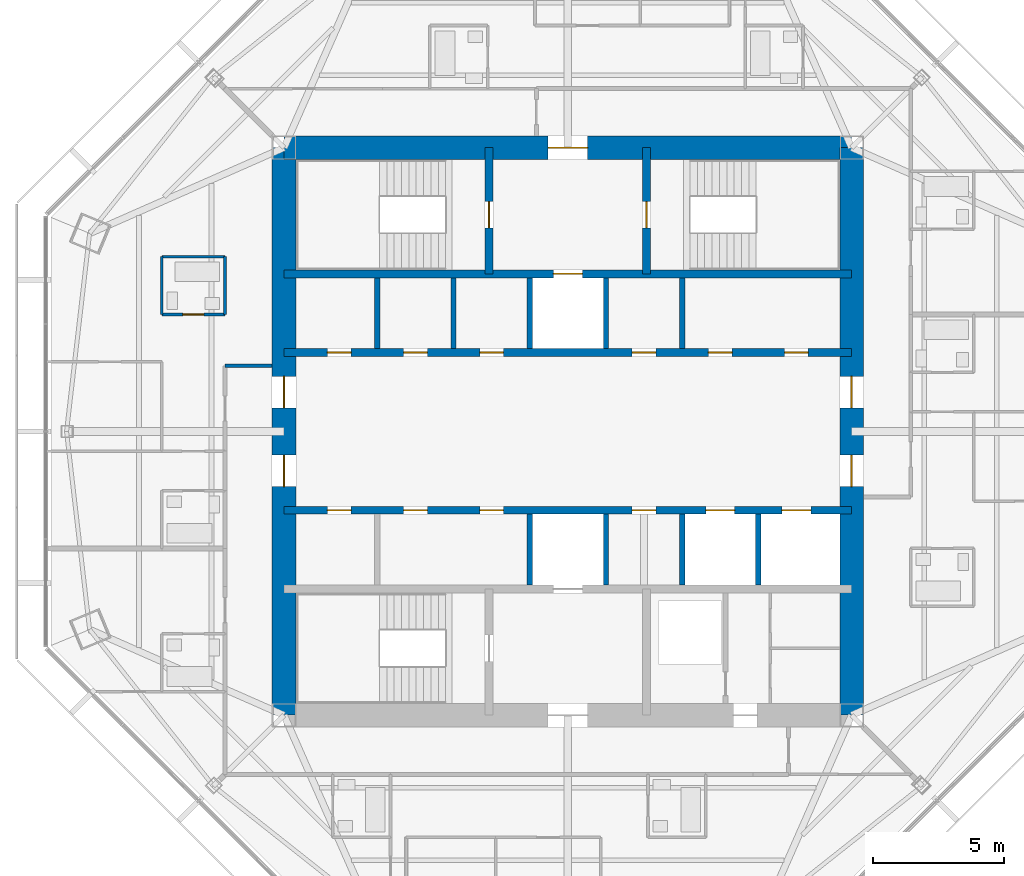
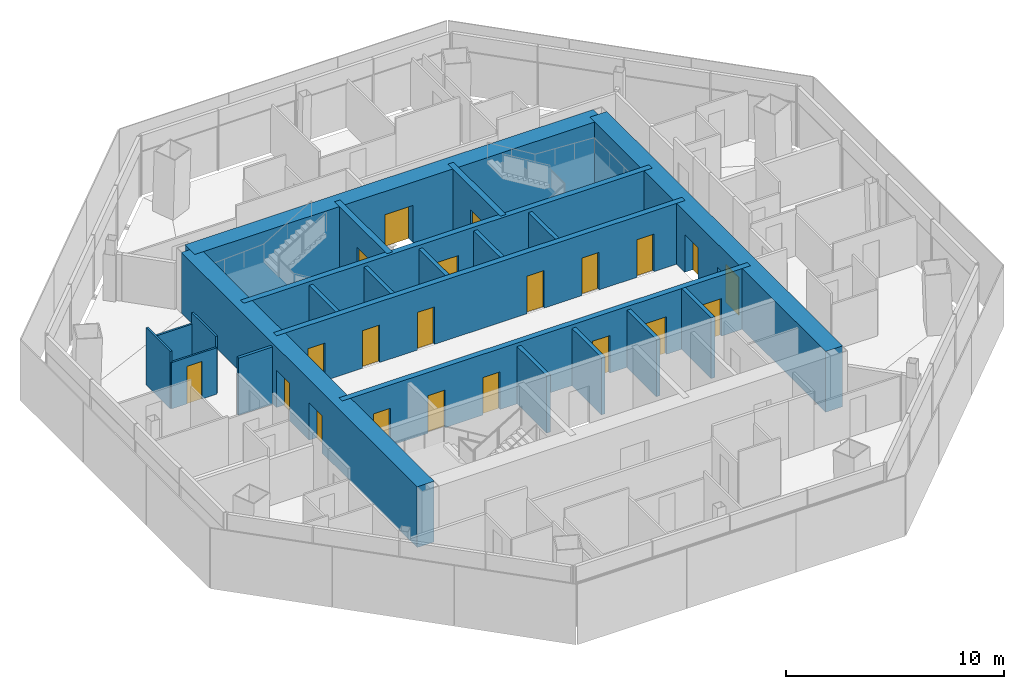
# One storey, part 10 of 14: 22 walls, 21 doors, 21 openings.
"""IFC4 building model written with IfcOpenShell, lengths in metres."""

from ifc_helpers import new_model, si_unit, direction, frame, frame_2d, origin, place, context, subcontext, project, spatial, rectangle, extrude, material, layer, layer_set, type_object, element, fill, save


model = new_model("IFC4")

# Units and contexts
model_context = context("Model", 3, precision=1e-05, world=origin(), true_north=direction((0.0, 1.0)))
body_context = subcontext(model_context, "Body", "Model", "MODEL_VIEW")
ifc_project = project(units=[si_unit("LENGTHUNIT", "METRE"), si_unit("AREAUNIT", "SQUARE_METRE"), si_unit("VOLUMEUNIT", "CUBIC_METRE"), si_unit("PLANEANGLEUNIT", "RADIAN"), si_unit("MASSUNIT", "GRAM", prefix="KILO")], contexts=[model_context])

# Site, building, storey
site_placement = place(None, origin())
site = spatial("IfcSite", under=ifc_project, at=site_placement, CompositionType="ELEMENT")
building_placement = place(site_placement, origin())
building = spatial("IfcBuilding", under=site, at=building_placement, Name="Mashrafa Tower", CompositionType="ELEMENT")
storey_placement = place(building_placement, frame((0.0, 0.0, 287.800048828125)))
storey = spatial("IfcBuildingStorey", under=building, at=storey_placement, Name="L70", CompositionType="ELEMENT", Elevation=287.800048828125)

# Wall, openings, doors
ifc_material_1 = material(Name="Concrete C50/60", Category="concrete")
ifc_layer_1 = layer(ifc_material_1, 0.300048828125)
ifc_layer_set_1 = layer_set([ifc_layer_1], Name="Core wall 300 C50/60")
wall_type_1 = type_object("IfcWallType", Name="Core wall 300 C50/60", PredefinedType="SOLIDWALL", material=ifc_layer_set_1)
wall_1_placement = place(storey_placement, frame((-10.800048828125, 3.0, 0.0), z_axis=(0.0, 0.0, 1.0), x_axis=(1.0, 0.0, 0.0)))
wall_1 = element("IfcWall", 1, at=wall_1_placement, inside=storey, type_object=wall_type_1, Name="Core wall CH-N L70", PredefinedType="SOLIDWALL", context=body_context, shape_type="SweptSolid", body=[
    extrude(rectangle(XDim=21.60009765625, YDim=0.300048828125, at=frame_2d((10.800048828125, 0.0))), origin(), (0.0, 0.0, 1.0), 3.39990234375),
])
opening_1_placement = place(wall_1_placement, frame((1.64990234375, 0.0, 0.0)))
opening_1 = element("IfcOpeningElement", 2, at=opening_1_placement, cuts=wall_1, Name="Opening 70.044", PredefinedType="OPENING", context=body_context, shape_type="SweptSolid", body=[
    extrude(rectangle(XDim=0.89990234375, YDim=2.10009765625, at=frame_2d((0.449951171875, 1.050048828125))), frame((0.0, 0.159912109375, 0.0), z_axis=(0.0, -1.0, 0.0), x_axis=(1.0, 0.0, 0.0)), (0.0, 0.0, 1.0), 0.320068359375),
])
opening_2_placement = place(wall_1_placement, frame((7.449951171875, 0.0, 0.0)))
opening_2 = element("IfcOpeningElement", 3, at=opening_2_placement, cuts=wall_1, Name="Opening 70.045", PredefinedType="OPENING", context=body_context, shape_type="SweptSolid", body=[
    extrude(rectangle(XDim=0.89990234375, YDim=2.10009765625, at=frame_2d((0.449951171875, 1.050048828125))), frame((0.0, 0.159912109375, 0.0), z_axis=(0.0, -1.0, 0.0), x_axis=(1.0, 0.0, 0.0)), (0.0, 0.0, 1.0), 0.320068359375),
])
opening_3_placement = place(wall_1_placement, frame((13.25, 0.0, 0.0)))
opening_3 = element("IfcOpeningElement", 4, at=opening_3_placement, cuts=wall_1, Name="Opening 70.046", PredefinedType="OPENING", context=body_context, shape_type="SweptSolid", body=[
    extrude(rectangle(XDim=0.89990234375, YDim=2.10009765625, at=frame_2d((0.449951171875, 1.050048828125))), frame((0.0, 0.159912109375, 0.0), z_axis=(0.0, -1.0, 0.0), x_axis=(1.0, 0.0, 0.0)), (0.0, 0.0, 1.0), 0.320068359375),
])
opening_4_placement = place(wall_1_placement, frame((16.14990234375, 0.0, 0.0)))
opening_4 = element("IfcOpeningElement", 5, at=opening_4_placement, cuts=wall_1, Name="Opening 70.047", PredefinedType="OPENING", context=body_context, shape_type="SweptSolid", body=[
    extrude(rectangle(XDim=0.89990234375, YDim=2.10009765625, at=frame_2d((0.449951171875, 1.050048828125))), frame((0.0, 0.159912109375, 0.0), z_axis=(0.0, -1.0, 0.0), x_axis=(1.0, 0.0, 0.0)), (0.0, 0.0, 1.0), 0.320068359375),
])
opening_5_placement = place(wall_1_placement, frame((19.050048828125, 0.0, 0.0)))
opening_5 = element("IfcOpeningElement", 6, at=opening_5_placement, cuts=wall_1, Name="Opening 70.048", PredefinedType="OPENING", context=body_context, shape_type="SweptSolid", body=[
    extrude(rectangle(XDim=0.89990234375, YDim=2.10009765625, at=frame_2d((0.449951171875, 1.050048828125))), frame((0.0, 0.159912109375, 0.0), z_axis=(0.0, -1.0, 0.0), x_axis=(1.0, 0.0, 0.0)), (0.0, 0.0, 1.0), 0.320068359375),
])
opening_6_placement = place(wall_1_placement, frame((4.550048828125, 0.0, 0.0)))
opening_6 = element("IfcOpeningElement", 7, at=opening_6_placement, cuts=wall_1, Name="Opening 70.051", PredefinedType="OPENING", context=body_context, shape_type="SweptSolid", body=[
    extrude(rectangle(XDim=0.89990234375, YDim=2.10009765625, at=frame_2d((0.449951171875, 1.050048828125))), frame((0.0, 0.159912109375, 0.0), z_axis=(0.0, -1.0, 0.0), x_axis=(1.0, 0.0, 0.0)), (0.0, 0.0, 1.0), 0.320068359375),
])
ifc_material_2 = material(Name="Timber door", Category="wood")
door_type_1 = type_object("IfcDoorType", Name="Store door 900 x 2100", OperationType="USERDEFINED", PredefinedType="DOOR", material=ifc_material_2)
door_1_placement = place(opening_1_placement, origin())
door_1 = element("IfcDoor", 8, at=door_1_placement, inside=storey, type_object=door_type_1, Name="Refuse Chute Room L70 door", OperationType="SINGLE_SWING_RIGHT", OverallHeight=2.10009765625, OverallWidth=0.89990234375, PredefinedType="DOOR", context=body_context, shape_type="SweptSolid", body=[
    extrude(rectangle(XDim=0.89990234375, YDim=2.10009765625, at=frame_2d((0.449951171875, 1.050048828125))), frame((0.0, 0.02490234375, 0.0), z_axis=(0.0, -1.0, 0.0), x_axis=(1.0, 0.0, 0.0)), (0.0, 0.0, 1.0), 0.050048828125),
])
fill(opening_1, door_1)
door_2_placement = place(opening_2_placement, origin())
door_2 = element("IfcDoor", 9, at=door_2_placement, inside=storey, type_object=door_type_1, Name="Vending and Ice Room L70 door", OperationType="SINGLE_SWING_LEFT", OverallHeight=2.10009765625, OverallWidth=0.89990234375, PredefinedType="DOOR", context=body_context, shape_type="SweptSolid", body=[
    extrude(rectangle(XDim=0.89990234375, YDim=2.10009765625, at=frame_2d((0.449951171875, 1.050048828125))), frame((0.0, 0.02490234375, 0.0), z_axis=(0.0, -1.0, 0.0), x_axis=(1.0, 0.0, 0.0)), (0.0, 0.0, 1.0), 0.050048828125),
])
fill(opening_2, door_2)
door_3_placement = place(opening_3_placement, origin())
door_3 = element("IfcDoor", 10, at=door_3_placement, inside=storey, type_object=door_type_1, Name="Cleaner's Store L70 door", OperationType="SINGLE_SWING_LEFT", OverallHeight=2.10009765625, OverallWidth=0.89990234375, PredefinedType="DOOR", context=body_context, shape_type="SweptSolid", body=[
    extrude(rectangle(XDim=0.89990234375, YDim=2.10009765625, at=frame_2d((0.449951171875, 1.050048828125))), frame((0.0, 0.02490234375, 0.0), z_axis=(0.0, -1.0, 0.0), x_axis=(1.0, 0.0, 0.0)), (0.0, 0.0, 1.0), 0.050048828125),
])
fill(opening_3, door_3)
door_4_placement = place(opening_4_placement, origin())
door_4 = element("IfcDoor", 11, at=door_4_placement, inside=storey, type_object=door_type_1, Name="Parcel Room L70 door", OperationType="SINGLE_SWING_LEFT", OverallHeight=2.10009765625, OverallWidth=0.89990234375, PredefinedType="DOOR", context=body_context, shape_type="SweptSolid", body=[
    extrude(rectangle(XDim=0.89990234375, YDim=2.10009765625, at=frame_2d((0.449951171875, 1.050048828125))), frame((0.0, 0.02490234375, 0.0), z_axis=(0.0, -1.0, 0.0), x_axis=(1.0, 0.0, 0.0)), (0.0, 0.0, 1.0), 0.050048828125),
])
fill(opening_4, door_4)
door_5_placement = place(opening_5_placement, origin())
door_5 = element("IfcDoor", 12, at=door_5_placement, inside=storey, type_object=door_type_1, Name="Parcel Room L70 door", OperationType="SINGLE_SWING_RIGHT", OverallHeight=2.10009765625, OverallWidth=0.89990234375, PredefinedType="DOOR", context=body_context, shape_type="SweptSolid", body=[
    extrude(rectangle(XDim=0.89990234375, YDim=2.10009765625, at=frame_2d((0.449951171875, 1.050048828125))), frame((0.0, 0.02490234375, 0.0), z_axis=(0.0, -1.0, 0.0), x_axis=(1.0, 0.0, 0.0)), (0.0, 0.0, 1.0), 0.050048828125),
])
fill(opening_5, door_5)
door_6_placement = place(opening_6_placement, origin())
door_6 = element("IfcDoor", 13, at=door_6_placement, inside=storey, type_object=door_type_1, Name="Residents' Store L70-A2 door", OperationType="SINGLE_SWING_LEFT", OverallHeight=2.10009765625, OverallWidth=0.89990234375, PredefinedType="DOOR", context=body_context, shape_type="SweptSolid", body=[
    extrude(rectangle(XDim=0.89990234375, YDim=2.10009765625, at=frame_2d((0.449951171875, 1.050048828125))), frame((0.0, 0.02490234375, 0.0), z_axis=(0.0, -1.0, 0.0), x_axis=(1.0, 0.0, 0.0)), (0.0, 0.0, 1.0), 0.050048828125),
])
fill(opening_6, door_6)

# Wall, opening, door
wall_2_placement = place(storey_placement, frame((-10.800048828125, 6.0, 0.0), z_axis=(0.0, 0.0, 1.0), x_axis=(1.0, 0.0, 0.0)))
wall_2 = element("IfcWall", 14, at=wall_2_placement, inside=storey, type_object=wall_type_1, Name="Core wall CB-N L70", PredefinedType="SOLIDWALL", context=body_context, shape_type="SweptSolid", body=[
    extrude(rectangle(XDim=21.60009765625, YDim=0.300048828125, at=frame_2d((10.800048828125, 0.0))), origin(), (0.0, 0.0, 1.0), 3.39990234375),
])
opening_7_placement = place(wall_2_placement, frame((10.25, 0.0, 0.0)))
opening_7 = element("IfcOpeningElement", 15, at=opening_7_placement, cuts=wall_2, Name="Opening 70.F1", PredefinedType="OPENING", context=body_context, shape_type="SweptSolid", body=[
    extrude(rectangle(XDim=1.10009765625, YDim=2.10009765625, at=frame_2d((0.550048828125, 1.050048828125))), frame((0.0, 0.159912109375, 0.0), z_axis=(0.0, -1.0, 0.0), x_axis=(1.0, 0.0, 0.0)), (0.0, 0.0, 1.0), 0.320068359375),
])
ifc_material_3 = material(Name="Steel door", Category="steel")
door_type_2 = type_object("IfcDoorType", Name="Lift landing door 1100 x 2100 90 min", OperationType="DOUBLE_DOOR_SLIDING", PredefinedType="DOOR", material=ifc_material_3)
door_7_placement = place(opening_7_placement, origin())
door_7 = element("IfcDoor", 16, at=door_7_placement, inside=storey, type_object=door_type_2, Name="Lift landing door F1 L70", OperationType="DOUBLE_DOOR_SLIDING", OverallHeight=2.10009765625, OverallWidth=1.10009765625, PredefinedType="DOOR", context=body_context, shape_type="SweptSolid", body=[
    extrude(rectangle(XDim=1.10009765625, YDim=2.10009765625, at=frame_2d((0.550048828125, 1.050048828125))), frame((0.0, 0.02490234375, 0.0), z_axis=(0.0, -1.0, 0.0), x_axis=(1.0, 0.0, 0.0)), (0.0, 0.0, 1.0), 0.050048828125),
])
fill(opening_7, door_7)

wall_3_placement = place(storey_placement, frame((-3.0, 6.0, 0.0), z_axis=(0.0, 0.0, 1.0), x_axis=(0.0, 1.0, 0.0)))
wall_3 = element("IfcWall", 17, at=wall_3_placement, inside=storey, type_object=wall_type_1, Name="Core wall CX-NW L70", PredefinedType="SOLIDWALL", context=body_context, shape_type="SweptSolid", body=[
    extrude(rectangle(XDim=4.800048828125, YDim=0.300048828125, at=frame_2d((2.39990234375, 0.0))), origin(), (0.0, 0.0, 1.0), 3.39990234375),
])
opening_8_placement = place(wall_3_placement, frame((1.75, 0.0, 0.0)))
opening_8 = element("IfcOpeningElement", 18, at=opening_8_placement, cuts=wall_3, Name="Opening 70.037", PredefinedType="OPENING", context=body_context, shape_type="SweptSolid", body=[
    extrude(rectangle(XDim=1.0, YDim=2.10009765625, at=frame_2d((0.5, 1.050048828125))), frame((0.0, 0.159912109375, 0.0), z_axis=(0.0, -1.0, 0.0), x_axis=(1.0, 0.0, 0.0)), (0.0, 0.0, 1.0), 0.320068359375),
])
ifc_material_4 = material(Name="Steel door", Category="steel")
door_type_3 = type_object("IfcDoorType", Name="Stair door 1000 x 2100 90 min", OperationType="USERDEFINED", PredefinedType="DOOR", material=ifc_material_4)
door_8_placement = place(opening_8_placement, origin())
door_8 = element("IfcDoor", 19, at=door_8_placement, inside=storey, type_object=door_type_3, Name="Stair S1 door L70", OperationType="SINGLE_SWING_LEFT", OverallHeight=2.10009765625, OverallWidth=1.0, PredefinedType="DOOR", context=body_context, shape_type="SweptSolid", body=[
    extrude(rectangle(XDim=1.0, YDim=2.10009765625, at=frame_2d((0.5, 1.050048828125))), frame((0.0, 0.02490234375, 0.0), z_axis=(0.0, -1.0, 0.0), x_axis=(1.0, 0.0, 0.0)), (0.0, 0.0, 1.0), 0.050048828125),
])
fill(opening_8, door_8)

wall_4_placement = place(storey_placement, frame((3.0, 6.0, 0.0), z_axis=(0.0, 0.0, 1.0), x_axis=(0.0, 1.0, 0.0)))
wall_4 = element("IfcWall", 20, at=wall_4_placement, inside=storey, type_object=wall_type_1, Name="Core wall CX-NE L70", PredefinedType="SOLIDWALL", context=body_context, shape_type="SweptSolid", body=[
    extrude(rectangle(XDim=4.800048828125, YDim=0.300048828125, at=frame_2d((2.39990234375, 0.0))), origin(), (0.0, 0.0, 1.0), 3.39990234375),
])
opening_9_placement = place(wall_4_placement, frame((1.75, 0.0, 0.0)))
opening_9 = element("IfcOpeningElement", 21, at=opening_9_placement, cuts=wall_4, Name="Opening 70.038", PredefinedType="OPENING", context=body_context, shape_type="SweptSolid", body=[
    extrude(rectangle(XDim=1.0, YDim=2.10009765625, at=frame_2d((0.5, 1.050048828125))), frame((0.0, 0.159912109375, 0.0), z_axis=(0.0, -1.0, 0.0), x_axis=(1.0, 0.0, 0.0)), (0.0, 0.0, 1.0), 0.320068359375),
])
door_9_placement = place(opening_9_placement, frame((1.0, 0.0, 0.0), z_axis=(0.0, 0.0, 1.0), x_axis=(-1.0, 0.0, 0.0)))
door_9 = element("IfcDoor", 22, at=door_9_placement, inside=storey, type_object=door_type_3, Name="Stair S2 door L70", OperationType="SINGLE_SWING_RIGHT", OverallHeight=2.10009765625, OverallWidth=1.0, PredefinedType="DOOR", context=body_context, shape_type="SweptSolid", body=[
    extrude(rectangle(XDim=1.0, YDim=2.10009765625, at=frame_2d((0.5, 1.050048828125))), frame((0.0, 0.02490234375, 0.0), z_axis=(0.0, -1.0, 0.0), x_axis=(1.0, 0.0, 0.0)), (0.0, 0.0, 1.0), 0.050048828125),
])
fill(opening_9, door_9)

# Wall, openings, doors
wall_5_placement = place(storey_placement, frame((-10.800048828125, -3.0, 0.0), z_axis=(0.0, 0.0, 1.0), x_axis=(1.0, 0.0, 0.0)))
wall_5 = element("IfcWall", 23, at=wall_5_placement, inside=storey, type_object=wall_type_1, Name="Core wall CH-S L70", PredefinedType="SOLIDWALL", context=body_context, shape_type="SweptSolid", body=[
    extrude(rectangle(XDim=21.60009765625, YDim=0.300048828125, at=frame_2d((10.800048828125, 0.0))), origin(), (0.0, 0.0, 1.0), 3.39990234375),
])
opening_10_placement = place(wall_5_placement, frame((4.550048828125, 0.0, 0.0)))
opening_10 = element("IfcOpeningElement", 24, at=opening_10_placement, cuts=wall_5, Name="Opening 70.049", PredefinedType="OPENING", context=body_context, shape_type="SweptSolid", body=[
    extrude(rectangle(XDim=0.89990234375, YDim=2.10009765625, at=frame_2d((0.449951171875, 1.050048828125))), frame((0.0, 0.159912109375, 0.0), z_axis=(0.0, -1.0, 0.0), x_axis=(1.0, 0.0, 0.0)), (0.0, 0.0, 1.0), 0.320068359375),
])
opening_11_placement = place(wall_5_placement, frame((7.449951171875, 0.0, 0.0)))
opening_11 = element("IfcOpeningElement", 25, at=opening_11_placement, cuts=wall_5, Name="Opening 70.050", PredefinedType="OPENING", context=body_context, shape_type="SweptSolid", body=[
    extrude(rectangle(XDim=0.89990234375, YDim=2.10009765625, at=frame_2d((0.449951171875, 1.050048828125))), frame((0.0, 0.159912109375, 0.0), z_axis=(0.0, -1.0, 0.0), x_axis=(1.0, 0.0, 0.0)), (0.0, 0.0, 1.0), 0.320068359375),
])
opening_12_placement = place(wall_5_placement, frame((1.64990234375, 0.0, 0.0)))
opening_12 = element("IfcOpeningElement", 26, at=opening_12_placement, cuts=wall_5, Name="Opening 70.052", PredefinedType="OPENING", context=body_context, shape_type="SweptSolid", body=[
    extrude(rectangle(XDim=0.89990234375, YDim=2.10009765625, at=frame_2d((0.449951171875, 1.050048828125))), frame((0.0, 0.159912109375, 0.0), z_axis=(0.0, -1.0, 0.0), x_axis=(1.0, 0.0, 0.0)), (0.0, 0.0, 1.0), 0.320068359375),
])
opening_13_placement = place(wall_5_placement, frame((13.25, 0.0, 0.0)))
opening_13 = element("IfcOpeningElement", 27, at=opening_13_placement, cuts=wall_5, Name="Opening 70.053", PredefinedType="OPENING", context=body_context, shape_type="SweptSolid", body=[
    extrude(rectangle(XDim=0.89990234375, YDim=2.10009765625, at=frame_2d((0.449951171875, 1.050048828125))), frame((0.0, 0.159912109375, 0.0), z_axis=(0.0, -1.0, 0.0), x_axis=(1.0, 0.0, 0.0)), (0.0, 0.0, 1.0), 0.320068359375),
])
opening_14_placement = place(wall_5_placement, frame((16.050048828125, 0.0, 0.0)))
opening_14 = element("IfcOpeningElement", 28, at=opening_14_placement, cuts=wall_5, Name="Opening 70.R1", PredefinedType="OPENING", context=body_context, shape_type="SweptSolid", body=[
    extrude(rectangle(XDim=1.10009765625, YDim=2.10009765625, at=frame_2d((0.550048828125, 1.050048828125))), frame((0.0, 0.159912109375, 0.0), z_axis=(0.0, -1.0, 0.0), x_axis=(1.0, 0.0, 0.0)), (0.0, 0.0, 1.0), 0.320068359375),
])
opening_15_placement = place(wall_5_placement, frame((18.949951171875, 0.0, 0.0)))
opening_15 = element("IfcOpeningElement", 29, at=opening_15_placement, cuts=wall_5, Name="Opening 70.R2", PredefinedType="OPENING", context=body_context, shape_type="SweptSolid", body=[
    extrude(rectangle(XDim=1.10009765625, YDim=2.10009765625, at=frame_2d((0.550048828125, 1.050048828125))), frame((0.0, 0.159912109375, 0.0), z_axis=(0.0, -1.0, 0.0), x_axis=(1.0, 0.0, 0.0)), (0.0, 0.0, 1.0), 0.320068359375),
])
door_10_placement = place(opening_14_placement, origin())
door_10 = element("IfcDoor", 30, at=door_10_placement, inside=storey, type_object=door_type_2, Name="Lift landing door R1 L70", OperationType="DOUBLE_DOOR_SLIDING", OverallHeight=2.10009765625, OverallWidth=1.10009765625, PredefinedType="DOOR", context=body_context, shape_type="SweptSolid", body=[
    extrude(rectangle(XDim=1.10009765625, YDim=2.10009765625, at=frame_2d((0.550048828125, 1.050048828125))), frame((0.0, 0.02490234375, 0.0), z_axis=(0.0, -1.0, 0.0), x_axis=(1.0, 0.0, 0.0)), (0.0, 0.0, 1.0), 0.050048828125),
])
fill(opening_14, door_10)
door_11_placement = place(opening_15_placement, origin())
door_11 = element("IfcDoor", 31, at=door_11_placement, inside=storey, type_object=door_type_2, Name="Lift landing door R2 L70", OperationType="DOUBLE_DOOR_SLIDING", OverallHeight=2.10009765625, OverallWidth=1.10009765625, PredefinedType="DOOR", context=body_context, shape_type="SweptSolid", body=[
    extrude(rectangle(XDim=1.10009765625, YDim=2.10009765625, at=frame_2d((0.550048828125, 1.050048828125))), frame((0.0, 0.02490234375, 0.0), z_axis=(0.0, -1.0, 0.0), x_axis=(1.0, 0.0, 0.0)), (0.0, 0.0, 1.0), 0.050048828125),
])
fill(opening_15, door_11)
door_12_placement = place(opening_10_placement, frame((0.89990234375, 0.0, 0.0), z_axis=(0.0, 0.0, 1.0), x_axis=(-1.0, 0.0, 0.0)))
door_12 = element("IfcDoor", 32, at=door_12_placement, inside=storey, type_object=door_type_1, Name="Bulky Waste Store L70 door", OperationType="SINGLE_SWING_RIGHT", OverallHeight=2.10009765625, OverallWidth=0.89990234375, PredefinedType="DOOR", context=body_context, shape_type="SweptSolid", body=[
    extrude(rectangle(XDim=0.89990234375, YDim=2.10009765625, at=frame_2d((0.449951171875, 1.050048828125))), frame((0.0, 0.02490234375, 0.0), z_axis=(0.0, -1.0, 0.0), x_axis=(1.0, 0.0, 0.0)), (0.0, 0.0, 1.0), 0.050048828125),
])
fill(opening_10, door_12)
door_13_placement = place(opening_11_placement, frame((0.89990234375, 0.0, 0.0), z_axis=(0.0, 0.0, 1.0), x_axis=(-1.0, 0.0, 0.0)))
door_13 = element("IfcDoor", 33, at=door_13_placement, inside=storey, type_object=door_type_1, Name="Bulky Waste Store L70 door", OperationType="SINGLE_SWING_LEFT", OverallHeight=2.10009765625, OverallWidth=0.89990234375, PredefinedType="DOOR", context=body_context, shape_type="SweptSolid", body=[
    extrude(rectangle(XDim=0.89990234375, YDim=2.10009765625, at=frame_2d((0.449951171875, 1.050048828125))), frame((0.0, 0.02490234375, 0.0), z_axis=(0.0, -1.0, 0.0), x_axis=(1.0, 0.0, 0.0)), (0.0, 0.0, 1.0), 0.050048828125),
])
fill(opening_11, door_13)
door_14_placement = place(opening_12_placement, frame((0.89990234375, 0.0, 0.0), z_axis=(0.0, 0.0, 1.0), x_axis=(-1.0, 0.0, 0.0)))
door_14 = element("IfcDoor", 34, at=door_14_placement, inside=storey, type_object=door_type_1, Name="Residents' Store L70-B1 door", OperationType="SINGLE_SWING_LEFT", OverallHeight=2.10009765625, OverallWidth=0.89990234375, PredefinedType="DOOR", context=body_context, shape_type="SweptSolid", body=[
    extrude(rectangle(XDim=0.89990234375, YDim=2.10009765625, at=frame_2d((0.449951171875, 1.050048828125))), frame((0.0, 0.02490234375, 0.0), z_axis=(0.0, -1.0, 0.0), x_axis=(1.0, 0.0, 0.0)), (0.0, 0.0, 1.0), 0.050048828125),
])
fill(opening_12, door_14)
door_15_placement = place(opening_13_placement, frame((0.89990234375, 0.0, 0.0), z_axis=(0.0, 0.0, 1.0), x_axis=(-1.0, 0.0, 0.0)))
door_15 = element("IfcDoor", 35, at=door_15_placement, inside=storey, type_object=door_type_1, Name="Residents' Store L70-B4 door", OperationType="SINGLE_SWING_RIGHT", OverallHeight=2.10009765625, OverallWidth=0.89990234375, PredefinedType="DOOR", context=body_context, shape_type="SweptSolid", body=[
    extrude(rectangle(XDim=0.89990234375, YDim=2.10009765625, at=frame_2d((0.449951171875, 1.050048828125))), frame((0.0, 0.02490234375, 0.0), z_axis=(0.0, -1.0, 0.0), x_axis=(1.0, 0.0, 0.0)), (0.0, 0.0, 1.0), 0.050048828125),
])
fill(opening_13, door_15)

ifc_material_5 = material(Name="Concrete C50/60", Category="concrete")
ifc_layer_2 = layer(ifc_material_5, 0.89990234375)
ifc_layer_set_2 = layer_set([ifc_layer_2], Name="Core wall 900 C50/60")
wall_type_2 = type_object("IfcWallType", Name="Core wall 900 C50/60", PredefinedType="SOLIDWALL", material=ifc_layer_set_2)
wall_6_placement = place(storey_placement, frame((10.800048828125, -10.800048828125, 0.0), z_axis=(0.0, 0.0, 1.0), x_axis=(0.0, 1.0, 0.0)))
wall_6 = element("IfcWall", 36, at=wall_6_placement, inside=storey, type_object=wall_type_2, Name="Core wall CW-E L70", PredefinedType="SOLIDWALL", context=body_context, shape_type="SweptSolid", body=[
    extrude(rectangle(XDim=21.60009765625, YDim=0.89990234375, at=frame_2d((10.800048828125, 0.0))), origin(), (0.0, 0.0, 1.0), 3.39990234375),
])
opening_16_placement = place(wall_6_placement, frame((11.699951171875, 0.0, 0.0)))
opening_16 = element("IfcOpeningElement", 37, at=opening_16_placement, cuts=wall_6, Name="Opening 70.031", PredefinedType="OPENING", context=body_context, shape_type="SweptSolid", body=[
    extrude(rectangle(XDim=1.199951171875, YDim=2.10009765625, at=frame_2d((0.60009765625, 1.050048828125))), frame((0.0, 0.4599609375, 0.0), z_axis=(0.0, -1.0, 0.0), x_axis=(1.0, 0.0, 0.0)), (0.0, 0.0, 1.0), 0.919921875),
])
opening_17_placement = place(wall_6_placement, frame((8.699951171875, 0.0, 0.0)))
opening_17 = element("IfcOpeningElement", 38, at=opening_17_placement, cuts=wall_6, Name="Opening 70.033", PredefinedType="OPENING", context=body_context, shape_type="SweptSolid", body=[
    extrude(rectangle(XDim=1.199951171875, YDim=2.10009765625, at=frame_2d((0.60009765625, 1.050048828125))), frame((0.0, 0.4599609375, 0.0), z_axis=(0.0, -1.0, 0.0), x_axis=(1.0, 0.0, 0.0)), (0.0, 0.0, 1.0), 0.919921875),
])
ifc_material_6 = material(Name="Steel door", Category="steel")
door_type_4 = type_object("IfcDoorType", Name="Lift hall door 1200 x 2100 90 min", OperationType="USERDEFINED", PredefinedType="DOOR", material=ifc_material_6)
door_16_placement = place(opening_16_placement, frame((1.199951171875, 0.0, 0.0), z_axis=(0.0, 0.0, 1.0), x_axis=(-1.0, 0.0, 0.0)))
door_16 = element("IfcDoor", 39, at=door_16_placement, inside=storey, type_object=door_type_4, Name="Lift hall door east L70", OperationType="SINGLE_SWING_RIGHT", OverallHeight=2.10009765625, OverallWidth=1.199951171875, PredefinedType="DOOR", context=body_context, shape_type="SweptSolid", body=[
    extrude(rectangle(XDim=1.199951171875, YDim=2.10009765625, at=frame_2d((0.60009765625, 1.050048828125))), frame((0.0, 0.02490234375, 0.0), z_axis=(0.0, -1.0, 0.0), x_axis=(1.0, 0.0, 0.0)), (0.0, 0.0, 1.0), 0.050048828125),
])
fill(opening_16, door_16)
door_17_placement = place(opening_17_placement, frame((1.199951171875, 0.0, 0.0), z_axis=(0.0, 0.0, 1.0), x_axis=(-1.0, 0.0, 0.0)))
door_17 = element("IfcDoor", 40, at=door_17_placement, inside=storey, type_object=door_type_4, Name="Lift hall door east L70", OperationType="SINGLE_SWING_RIGHT", OverallHeight=2.10009765625, OverallWidth=1.199951171875, PredefinedType="DOOR", context=body_context, shape_type="SweptSolid", body=[
    extrude(rectangle(XDim=1.199951171875, YDim=2.10009765625, at=frame_2d((0.60009765625, 1.050048828125))), frame((0.0, 0.02490234375, 0.0), z_axis=(0.0, -1.0, 0.0), x_axis=(1.0, 0.0, 0.0)), (0.0, 0.0, 1.0), 0.050048828125),
])
fill(opening_17, door_17)

# Wall, opening, door
wall_7_placement = place(storey_placement, frame((10.800048828125, 10.800048828125, 0.0), z_axis=(0.0, 0.0, 1.0), x_axis=(-1.0, 0.0, 0.0)))
wall_7 = element("IfcWall", 41, at=wall_7_placement, inside=storey, type_object=wall_type_2, Name="Core wall CW-N L70", PredefinedType="SOLIDWALL", context=body_context, shape_type="SweptSolid", body=[
    extrude(rectangle(XDim=21.60009765625, YDim=0.89990234375, at=frame_2d((10.800048828125, 0.0))), origin(), (0.0, 0.0, 1.0), 3.39990234375),
])
opening_18_placement = place(wall_7_placement, frame((10.050048828125, 0.0, 0.0)))
opening_18 = element("IfcOpeningElement", 42, at=opening_18_placement, cuts=wall_7, Name="Opening 70.035", PredefinedType="OPENING", context=body_context, shape_type="SweptSolid", body=[
    extrude(rectangle(XDim=1.5, YDim=2.10009765625, at=frame_2d((0.75, 1.050048828125))), frame((0.0, 0.4599609375, 0.0), z_axis=(0.0, -1.0, 0.0), x_axis=(1.0, 0.0, 0.0)), (0.0, 0.0, 1.0), 0.919921875),
])
ifc_material_7 = material(Name="Steel door", Category="steel")
door_type_5 = type_object("IfcDoorType", Name="Lobby door pair 1500 x 2100 90 min", OperationType="DOUBLE_DOOR_SINGLE_SWING", PredefinedType="DOOR", material=ifc_material_7)
door_18_placement = place(opening_18_placement, origin())
door_18 = element("IfcDoor", 43, at=door_18_placement, inside=storey, type_object=door_type_5, Name="Fire-fighting lobby F1 door L70", OperationType="DOUBLE_DOOR_SINGLE_SWING", OverallHeight=2.10009765625, OverallWidth=1.5, PredefinedType="DOOR", context=body_context, shape_type="SweptSolid", body=[
    extrude(rectangle(XDim=1.5, YDim=2.10009765625, at=frame_2d((0.75, 1.050048828125))), frame((0.0, 0.02490234375, 0.0), z_axis=(0.0, -1.0, 0.0), x_axis=(1.0, 0.0, 0.0)), (0.0, 0.0, 1.0), 0.050048828125),
])
fill(opening_18, door_18)

# Wall, openings, doors
wall_8_placement = place(storey_placement, frame((-10.800048828125, 10.800048828125, 0.0), z_axis=(0.0, 0.0, 1.0), x_axis=(0.0, -1.0, 0.0)))
wall_8 = element("IfcWall", 44, at=wall_8_placement, inside=storey, type_object=wall_type_2, Name="Core wall CW-W L70", PredefinedType="SOLIDWALL", context=body_context, shape_type="SweptSolid", body=[
    extrude(rectangle(XDim=21.60009765625, YDim=0.89990234375, at=frame_2d((10.800048828125, 0.0))), origin(), (0.0, 0.0, 1.0), 3.39990234375),
])
opening_19_placement = place(wall_8_placement, frame((8.699951171875, 0.0, 0.0)))
opening_19 = element("IfcOpeningElement", 45, at=opening_19_placement, cuts=wall_8, Name="Opening 70.032", PredefinedType="OPENING", context=body_context, shape_type="SweptSolid", body=[
    extrude(rectangle(XDim=1.199951171875, YDim=2.10009765625, at=frame_2d((0.60009765625, 1.050048828125))), frame((0.0, 0.4599609375, 0.0), z_axis=(0.0, -1.0, 0.0), x_axis=(1.0, 0.0, 0.0)), (0.0, 0.0, 1.0), 0.919921875),
])
opening_20_placement = place(wall_8_placement, frame((11.699951171875, 0.0, 0.0)))
opening_20 = element("IfcOpeningElement", 46, at=opening_20_placement, cuts=wall_8, Name="Opening 70.034", PredefinedType="OPENING", context=body_context, shape_type="SweptSolid", body=[
    extrude(rectangle(XDim=1.199951171875, YDim=2.10009765625, at=frame_2d((0.60009765625, 1.050048828125))), frame((0.0, 0.4599609375, 0.0), z_axis=(0.0, -1.0, 0.0), x_axis=(1.0, 0.0, 0.0)), (0.0, 0.0, 1.0), 0.919921875),
])
door_19_placement = place(opening_19_placement, frame((1.199951171875, 0.0, 0.0), z_axis=(0.0, 0.0, 1.0), x_axis=(-1.0, 0.0, 0.0)))
door_19 = element("IfcDoor", 47, at=door_19_placement, inside=storey, type_object=door_type_4, Name="Lift hall door west L70", OperationType="SINGLE_SWING_RIGHT", OverallHeight=2.10009765625, OverallWidth=1.199951171875, PredefinedType="DOOR", context=body_context, shape_type="SweptSolid", body=[
    extrude(rectangle(XDim=1.199951171875, YDim=2.10009765625, at=frame_2d((0.60009765625, 1.050048828125))), frame((0.0, 0.02490234375, 0.0), z_axis=(0.0, -1.0, 0.0), x_axis=(1.0, 0.0, 0.0)), (0.0, 0.0, 1.0), 0.050048828125),
])
fill(opening_19, door_19)
door_20_placement = place(opening_20_placement, frame((1.199951171875, 0.0, 0.0), z_axis=(0.0, 0.0, 1.0), x_axis=(-1.0, 0.0, 0.0)))
door_20 = element("IfcDoor", 48, at=door_20_placement, inside=storey, type_object=door_type_4, Name="Lift hall door west L70", OperationType="SINGLE_SWING_RIGHT", OverallHeight=2.10009765625, OverallWidth=1.199951171875, PredefinedType="DOOR", context=body_context, shape_type="SweptSolid", body=[
    extrude(rectangle(XDim=1.199951171875, YDim=2.10009765625, at=frame_2d((0.60009765625, 1.050048828125))), frame((0.0, 0.02490234375, 0.0), z_axis=(0.0, -1.0, 0.0), x_axis=(1.0, 0.0, 0.0)), (0.0, 0.0, 1.0), 0.050048828125),
])
fill(opening_20, door_20)

# Walls
ifc_material_8 = material(Name="Gypsum board on steel studs", Category="steel")
ifc_layer_3 = layer(ifc_material_8, 0.14990234375)
ifc_layer_set_3 = layer_set([ifc_layer_3], Name="Corridor partition 150 1 hr")
wall_type_3 = type_object("IfcWallType", Name="Corridor partition 150 1 hr", PredefinedType="PARTITIONING", material=ifc_layer_set_3)
wall_9_placement = place(storey_placement, frame((-11.25, 2.5, 0.0), z_axis=(0.0, 0.0, 1.0), x_axis=(-1.0, 0.0, 0.0)))
element("IfcWall", 49, at=wall_9_placement, inside=storey, type_object=wall_type_3, Name="Corridor wall L70-015", PredefinedType="PARTITIONING", context=body_context, shape_type="SweptSolid", body=[
    extrude(rectangle(XDim=1.800048828125, YDim=0.14990234375, at=frame_2d((0.89990234375, 0.0))), origin(), (0.0, 0.0, 1.0), 3.199951171875),
])
ifc_material_9 = material(Name="Gypsum board on steel studs", Category="steel")
ifc_layer_4 = layer(ifc_material_9, 0.10009765625)
ifc_layer_set_4 = layer_set([ifc_layer_4], Name="Partition 100")
wall_type_4 = type_object("IfcWallType", Name="Partition 100", PredefinedType="PARTITIONING", material=ifc_layer_set_4)
wall_10_placement = place(storey_placement, frame((-15.449951171875, 6.64990234375, 0.0), z_axis=(0.0, 0.0, 1.0), x_axis=(1.0, 0.0, 0.0)))
element("IfcWall", 50, at=wall_10_placement, inside=storey, type_object=wall_type_4, Name="Partition wall L70-068", PredefinedType="PARTITIONING", context=body_context, shape_type="SweptSolid", body=[
    extrude(rectangle(XDim=2.39990234375, YDim=0.10009765625, at=frame_2d((1.199951171875, 0.0))), origin(), (0.0, 0.0, 1.0), 2.590576171875),
])
wall_11_placement = place(storey_placement, frame((-15.449951171875, 6.64990234375, 0.0), z_axis=(0.0, 0.0, 1.0), x_axis=(0.0, -1.0, 0.0)))
element("IfcWall", 51, at=wall_11_placement, inside=storey, type_object=wall_type_4, Name="Partition wall L70-069", PredefinedType="PARTITIONING", context=body_context, shape_type="SweptSolid", body=[
    extrude(rectangle(XDim=2.199951171875, YDim=0.10009765625, at=frame_2d((1.10009765625, 0.0))), origin(), (0.0, 0.0, 1.0), 3.199951171875),
])

# Wall, opening, door
wall_12_placement = place(storey_placement, frame((-15.449951171875, 4.449951171875, 0.0), z_axis=(0.0, 0.0, 1.0), x_axis=(1.0, 0.0, 0.0)))
wall_12 = element("IfcWall", 52, at=wall_12_placement, inside=storey, type_object=wall_type_4, Name="Partition wall L70-070", PredefinedType="PARTITIONING", context=body_context, shape_type="SweptSolid", body=[
    extrude(rectangle(XDim=2.39990234375, YDim=0.10009765625, at=frame_2d((1.199951171875, 0.0))), origin(), (0.0, 0.0, 1.0), 2.590576171875),
])
opening_21_placement = place(wall_12_placement, frame((0.800048828125, 0.0, 0.0)))
opening_21 = element("IfcOpeningElement", 53, at=opening_21_placement, cuts=wall_12, Name="Opening 70.016", PredefinedType="OPENING", context=body_context, shape_type="SweptSolid", body=[
    extrude(rectangle(XDim=0.800048828125, YDim=2.10009765625, at=frame_2d((0.39990234375, 1.050048828125))), frame((0.0, 0.06005859375, 0.0), z_axis=(0.0, -1.0, 0.0), x_axis=(1.0, 0.0, 0.0)), (0.0, 0.0, 1.0), 0.1201171875),
])
ifc_material_10 = material(Name="Timber door", Category="wood")
door_type_6 = type_object("IfcDoorType", Name="Bathroom door 800 x 2100", OperationType="USERDEFINED", PredefinedType="DOOR", material=ifc_material_10)
door_21_placement = place(opening_21_placement, origin())
door_21 = element("IfcDoor", 54, at=door_21_placement, inside=storey, type_object=door_type_6, Name="Apartment 7004 Bathroom door", OperationType="SINGLE_SWING_RIGHT", OverallHeight=2.10009765625, OverallWidth=0.800048828125, PredefinedType="DOOR", context=body_context, shape_type="SweptSolid", body=[
    extrude(rectangle(XDim=0.800048828125, YDim=2.10009765625, at=frame_2d((0.39990234375, 1.050048828125))), frame((0.0, 0.02490234375, 0.0), z_axis=(0.0, -1.0, 0.0), x_axis=(1.0, 0.0, 0.0)), (0.0, 0.0, 1.0), 0.050048828125),
])
fill(opening_21, door_21)

# Walls
wall_13_placement = place(storey_placement, frame((-13.050048828125, 4.449951171875, 0.0), z_axis=(0.0, 0.0, 1.0), x_axis=(0.0, 1.0, 0.0)))
element("IfcWall", 55, at=wall_13_placement, inside=storey, type_object=wall_type_4, Name="Partition wall L70-071", PredefinedType="PARTITIONING", context=body_context, shape_type="SweptSolid", body=[
    extrude(rectangle(XDim=2.199951171875, YDim=0.10009765625, at=frame_2d((1.10009765625, 0.0))), origin(), (0.0, 0.0, 1.0), 3.199951171875),
])
ifc_material_11 = material(Name="Gypsum shaft wall on steel studs", Category="steel")
ifc_layer_5 = layer(ifc_material_11, 0.199951171875)
ifc_layer_set_5 = layer_set([ifc_layer_5], Name="Shaft divider wall 200 2 hr")
wall_type_5 = type_object("IfcWallType", Name="Shaft divider wall 200 2 hr", PredefinedType="PARTITIONING", material=ifc_layer_set_5)
for number, where, z_axis, x_axis, name in (
    (56, (-7.25, 3.14990234375, 0.0), (0.0, 0.0, 1.0), (0.0, 1.0, 0.0), "Shaft divider wall N1 L70"),
    (57, (-4.35009765625, 3.14990234375, 0.0), (0.0, 0.0, 1.0), (0.0, 1.0, 0.0), "Shaft divider wall N2 L70"),
    (58, (-1.449951171875, 3.14990234375, 0.0), (0.0, 0.0, 1.0), (0.0, 1.0, 0.0), "Shaft divider wall N3 L70"),
    (59, (1.449951171875, 3.14990234375, 0.0), (0.0, 0.0, 1.0), (0.0, 1.0, 0.0), "Shaft divider wall N4 L70"),
    (60, (4.35009765625, 3.14990234375, 0.0), (0.0, 0.0, 1.0), (0.0, 1.0, 0.0), "Shaft divider wall N5 L70"),
    (61, (-1.449951171875, -5.85009765625, 0.0), (0.0, 0.0, 1.0), (0.0, 1.0, 0.0), "Shaft divider wall S3 L70"),
    (62, (1.449951171875, -5.85009765625, 0.0), (0.0, 0.0, 1.0), (0.0, 1.0, 0.0), "Shaft divider wall S4 L70"),
    (63, (4.35009765625, -5.85009765625, 0.0), (0.0, 0.0, 1.0), (0.0, 1.0, 0.0), "Shaft divider wall S5 L70"),
):
    element("IfcWall", number, at=place(storey_placement, frame(where, z_axis=z_axis, x_axis=x_axis)), inside=storey, type_object=wall_type_5, Name=name, PredefinedType="PARTITIONING", context=body_context, shape_type="SweptSolid", body=[
        extrude(rectangle(XDim=2.7001953125, YDim=0.199951171875, at=frame_2d((1.35009765625, 0.0))), origin(), (0.0, 0.0, 1.0), 3.199951171875),
    ])
wall_14_placement = place(storey_placement, frame((7.25, -5.85009765625, 0.0), z_axis=(0.0, 0.0, 1.0), x_axis=(0.0, 1.0, 0.0)))
element("IfcWall", 64, at=wall_14_placement, inside=storey, type_object=wall_type_5, Name="Shaft divider wall S6 L70", PredefinedType="PARTITIONING", context=body_context, shape_type="SweptSolid", body=[
    extrude(rectangle(XDim=2.7001953125, YDim=0.199951171875, at=frame_2d((1.35009765625, 0.0))), origin(), (0.0, 0.0, 1.0), 3.39990234375),
])

save(model, "model.ifc")
